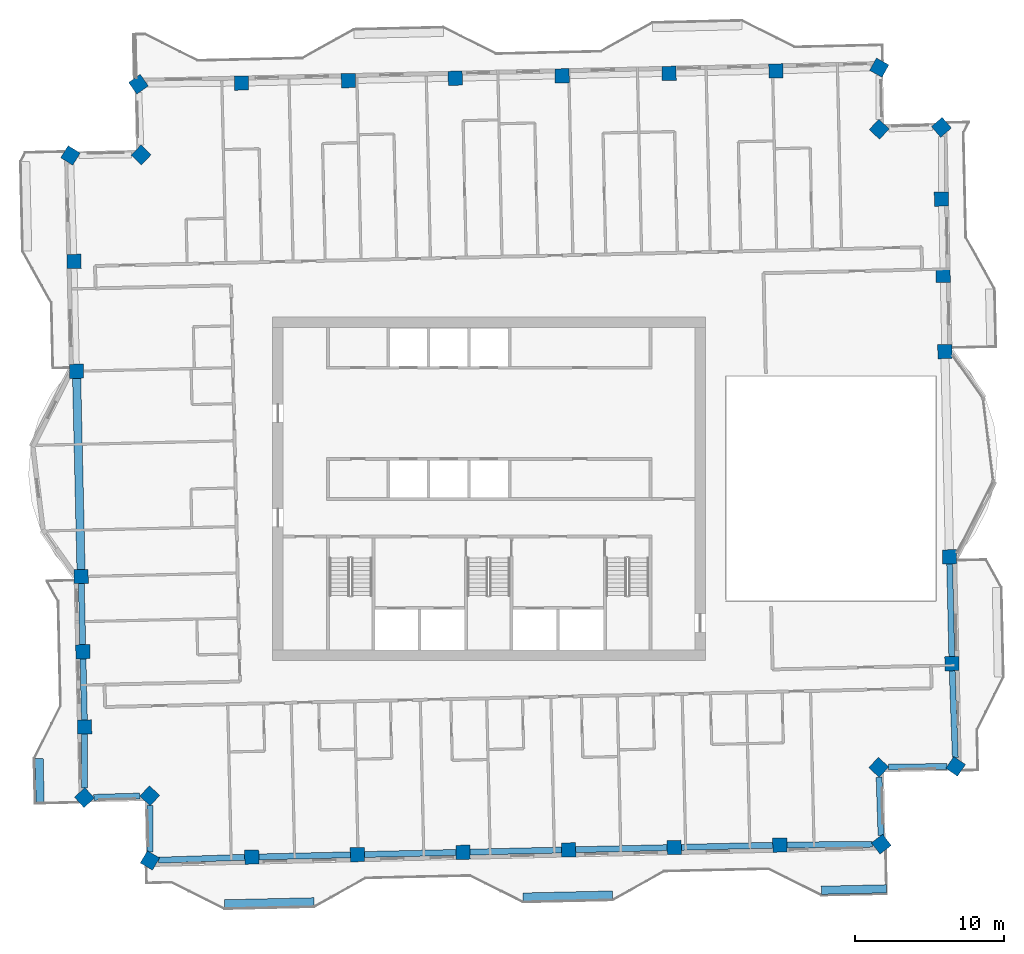
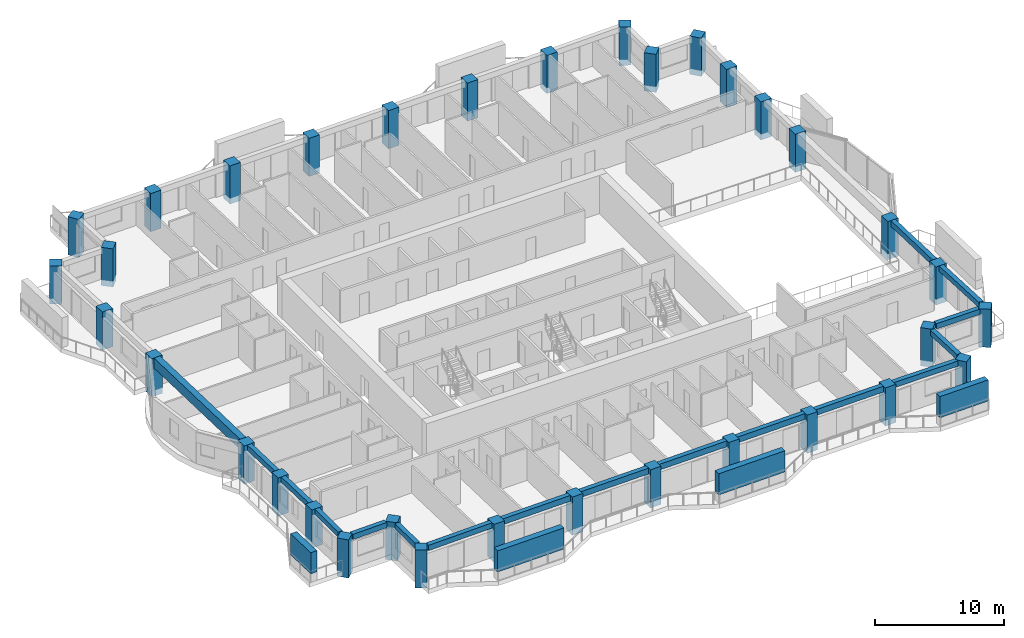
# One storey, part 1 of 18: 34 columns, 17 beams, 4 members.
"""IFC4 building model written with IfcOpenShell, lengths in metres."""

from ifc_helpers import new_model, si_unit, direction, frame, origin, origin_2d, place, context, subcontext, project, spatial, rectangle, extrude, material, material_profile, profile_set, type_object, element, save


model = new_model("IFC4")

# Units and contexts
model_context = context("Model", 3, precision=1e-05, world=origin(), true_north=direction((0.0, 1.0)))
body_context = subcontext(model_context, "Body", "Model", "MODEL_VIEW")
ifc_project = project(units=[si_unit("LENGTHUNIT", "METRE"), si_unit("AREAUNIT", "SQUARE_METRE"), si_unit("VOLUMEUNIT", "CUBIC_METRE"), si_unit("PLANEANGLEUNIT", "RADIAN"), si_unit("MASSUNIT", "GRAM", prefix="KILO")], contexts=[model_context])

# Site, building, storey
site_placement = place(None, origin())
site = spatial("IfcSite", under=ifc_project, at=site_placement, CompositionType="ELEMENT")
building_placement = place(site_placement, origin())
building = spatial("IfcBuilding", under=site, at=building_placement, Name="Mangrove Gate Tower", CompositionType="ELEMENT")
storey_placement = place(building_placement, frame((0.0, 0.0, 287.10009765625)))
storey = spatial("IfcBuildingStorey", under=building, at=storey_placement, Name="L73", CompositionType="ELEMENT", Elevation=287.10009765625)

# Columns
ifc_material_1 = material(Name="Concrete C50/60", Category="concrete")
ifc_material_profile_1 = material_profile(ifc_material_1, rectangle(XDim=0.949951171875, YDim=0.949951171875, at=origin_2d()))
ifc_profile_set_1 = profile_set([ifc_material_profile_1], Name="Concrete C50/60")
column_type = type_object("IfcColumnType", Name="Column RC 950x950 C50/60", PredefinedType="COLUMN", material=ifc_profile_set_1)
for number, where, z_axis, x_axis, name in (
    (1, (-27.3291015625, -5.88330078125, -0.550048828125), (0.0, 0.0, 1.0), (0.022668227132, -0.999743042726, 0.0), "Column L73 W05"),
    (2, (-27.215087890625, -10.92431640625, -0.550048828125), (0.0, 0.0, 1.0), (0.022611029903, -0.999744337982, 0.0), "Column L73 W06"),
    (3, (-27.10107421875, -15.964111328125, -0.550048828125), (0.0, 0.0, 1.0), (0.022712390043, -0.999742040398, 0.0), "Column L73 W07"),
    (4, (-27.1103515625, -20.694580078125, -0.550048828125), (0.0, 0.0, 1.0), (0.674559871236, -0.738220143398, 0.0), "Column L73 W08"),
    (5, (-22.73388671875, -20.571533203125, -0.550048828125), (0.0, 0.0, 1.0), (0.722917548782, -0.690934307777, 0.0), "Column L73 W09"),
    (6, (-22.721435546875, -24.905029296875, -0.550048828125), (0.0, 0.0, 1.0), (0.860936080736, -0.508713145974, 0.0), "Column L73 S01"),
    (7, (-15.898681640625, -24.67919921875, -0.550048828125), (0.0, 0.0, 1.0), (0.999742783124, 0.022679673549, 0.0), "Column L73 S02"),
    (8, (-8.82373046875, -24.51806640625, -0.550048828125), (0.0, 0.0, 1.0), (0.999742783124, 0.022679673549, 0.0), "Column L73 S03"),
    (9, (-1.748779296875, -24.358154296875, -0.550048828125), (0.0, 0.0, 1.0), (0.999742746705, 0.022681278839, 0.0), "Column L73 S04"),
    (10, (5.3251953125, -24.197021484375, -0.550048828125), (0.0, 0.0, 1.0), (0.999741142154, 0.022751894086, 0.0), "Column L73 S05"),
    (11, (12.400146484375, -24.0361328125, -0.550048828125), (0.0, 0.0, 1.0), (0.999742783124, 0.022679673549, 0.0), "Column L73 S06"),
    (12, (19.475341796875, -23.876220703125, -0.550048828125), (0.0, 0.0, 1.0), (0.999742783124, 0.022679673549, 0.0), "Column L73 S07"),
    (13, (26.271240234375, -23.813720703125, -0.550048828125), (0.0, 0.0, 1.0), (0.792213187663, 0.610244430775, 0.0), "Column L73 S08"),
    (14, (26.099609375, -18.663818359375, -0.550048828125), (0.0, 0.0, 1.0), (0.690876732885, 0.722972572065, 0.0), "Column L73 E01"),
    (15, (31.25048828125, -18.603759765625, -0.550048828125), (0.0, 0.0, 1.0), (0.568957327632, 0.8223670466, 0.0), "Column L73 E02"),
    (16, (31.004150390625, -11.723876953125, -0.550048828125), (0.0, 0.0, 1.0), (-0.02268810132, 0.9997425919, 0.0), "Column L73 E03"),
    (17, (30.841064453125, -4.563720703125, -0.550048828125), (0.0, 0.0, 1.0), (-0.022713803395, 0.999742008288, 0.0), "Column L73 E04"),
    (18, (30.529052734375, 9.183349609375, -0.550048828125), (0.0, 0.0, 1.0), (-0.022641914322, 0.999743638997, 0.0), "Column L73 E05"),
    (19, (30.4140625, 14.290283203125, -0.550048828125), (0.0, 0.0, 1.0), (-0.022610227257, 0.999744356135, 0.0), "Column L73 E06"),
    (20, (30.298095703125, 19.397216796875, -0.550048828125), (0.0, 0.0, 1.0), (-0.022708062743, 0.999742138697, 0.0), "Column L73 E07"),
    (21, (30.297119140625, 24.205078125, -0.550048828125), (0.0, 0.0, 1.0), (-0.652445951575, 0.757835259323, 0.0), "Column L73 E08"),
    (22, (26.1298828125, 24.07666015625, -0.550048828125), (0.0, 0.0, 1.0), (-0.722919671176, 0.69093208713, 0.0), "Column L73 E09"),
    (23, (26.132080078125, 28.203857421875, -0.550048828125), (0.0, 0.0, 1.0), (-0.873907193452, 0.486092807222, 0.0), "Column L73 N01"),
    (24, (19.212890625, 27.981201171875, -0.550048828125), (0.0, 0.0, 1.0), (-0.9997425919, -0.02268810132, 0.0), "Column L73 N02"),
    (25, (12.052734375, 27.819091796875, -0.550048828125), (0.0, 0.0, 1.0), (-0.9997425919, -0.02268810132, 0.0), "Column L73 N03"),
    (26, (4.891845703125, 27.656005859375, -0.550048828125), (0.0, 0.0, 1.0), (-0.9997425919, -0.02268810132, 0.0), "Column L73 N04"),
    (27, (-2.268310546875, 27.494140625, -0.550048828125), (0.0, 0.0, 1.0), (-0.9997425919, -0.02268810132, 0.0), "Column L73 N05"),
    (28, (-9.42919921875, 27.3310546875, -0.550048828125), (0.0, 0.0, 1.0), (-0.9997425919, -0.02268810132, 0.0), "Column L73 N06"),
    (29, (-16.589111328125, 27.169189453125, -0.550048828125), (0.0, 0.0, 1.0), (-0.9997425919, -0.02268810132, 0.0), "Column L73 N07"),
    (30, (-23.48779296875, 27.092529296875, -0.550048828125), (0.0, 0.0, 1.0), (-0.81788929658, -0.575375615176, 0.0), "Column L73 N08"),
    (31, (-23.30859375, 22.354736328125, -0.550048828125), (0.0, 0.0, 1.0), (-0.690864619266, -0.722984147714, 0.0), "Column L73 W01"),
    (32, (-28.04638671875, 22.32373046875, -0.550048828125), (0.0, 0.0, 1.0), (-0.526906799816, -0.849923069641, 0.0), "Column L73 W02"),
    (33, (-27.80810546875, 15.223876953125, -0.550048828125), (0.0, 0.0, 1.0), (0.022682831782, -0.999742711472, 0.0), "Column L73 W03"),
    (34, (-27.64111328125, 7.86376953125, -0.550048828125), (0.0, 0.0, 1.0), (0.022688048974, -0.999742593088, 0.0), "Column L73 W04"),
):
    element("IfcColumn", number, at=place(storey_placement, frame(where, z_axis=z_axis, x_axis=x_axis)), inside=storey, type_object=column_type, Name=name, PredefinedType="COLUMN", context=body_context, shape_type="SweptSolid", body=[
        extrude(rectangle(XDim=0.949951171875, YDim=0.949951171875, at=origin_2d()), origin(), (0.0, 0.0, 1.0), 3.599853515625),
    ])

# Members
ifc_material_2 = material(Name="Planting on aluminium trellis", Category="aluminium")
ifc_material_profile_2 = material_profile(ifc_material_2, rectangle(XDim=0.550048828125, YDim=2.0, at=origin_2d()))
ifc_profile_set_2 = profile_set([ifc_material_profile_2], Name="Planting on aluminium trellis")
member_type = type_object("IfcMemberType", Name="Balcony greenery screen 550x2000", PredefinedType="USERDEFINED", material=ifc_profile_set_2)
member_1_placement = place(storey_placement, frame((-30.075927734375, -21.074951171875, 1.7998046875), z_axis=(-0.022706615587, 0.999742171567, 0.0), x_axis=(-0.999742171567, -0.022706615587, 0.0)))
element("IfcMember", 35, at=member_1_placement, inside=storey, type_object=member_type, Name="GREEN SCREEN L73 W1.1", ObjectType="PLANTING", PredefinedType="USERDEFINED", context=body_context, shape_type="SweptSolid", body=[
    extrude(rectangle(XDim=0.550048828125, YDim=2.0, at=origin_2d()), origin(), (0.0, 0.0, 1.0), 2.999755859375),
])
for number, where, z_axis, x_axis, name in (
    (36, (-17.736083984375, -27.81103515625, 1.7998046875), (0.999743094499, 0.022665943652, 0.0), (-0.022665943652, 0.999743094499, 0.0), "GREEN SCREEN L73 S0.1"),
    (37, (2.259033203125, -27.35791015625, 1.7998046875), (0.999739392852, 0.022828630714, 0.0), (-0.022828630714, 0.999739392852, 0.0), "GREEN SCREEN L73 S1.1"),
):
    element("IfcMember", number, at=place(storey_placement, frame(where, z_axis=z_axis, x_axis=x_axis)), inside=storey, type_object=member_type, Name=name, ObjectType="PLANTING", PredefinedType="USERDEFINED", context=body_context, shape_type="SweptSolid", body=[
        extrude(rectangle(XDim=0.550048828125, YDim=2.0, at=origin_2d()), origin(), (0.0, 0.0, 1.0), 5.99951171875),
    ])
member_2_placement = place(storey_placement, frame((22.2529296875, -26.904052734375, 1.7998046875), z_axis=(0.999742527562, 0.022690936169, 0.0), x_axis=(-0.022690936169, 0.999742527562, 0.0)))
element("IfcMember", 38, at=member_2_placement, inside=storey, type_object=member_type, Name="GREEN SCREEN L73 S1.2", ObjectType="PLANTING", PredefinedType="USERDEFINED", context=body_context, shape_type="SweptSolid", body=[
    extrude(rectangle(XDim=0.550048828125, YDim=2.0, at=origin_2d()), origin(), (0.0, 0.0, 1.0), 4.368408203125),
])

# Beams
ifc_material_3 = material(Name="Concrete C50/60", Category="concrete")
ifc_material_profile_3 = material_profile(ifc_material_3, rectangle(XDim=0.39990234375, YDim=0.5, at=origin_2d()))
ifc_profile_set_3 = profile_set([ifc_material_profile_3], Name="Concrete C50/60")
beam_type_1 = type_object("IfcBeamType", Name="Edge beam RC 400x500 C50/60", PredefinedType="BEAM", material=ifc_profile_set_3)
beam_1_placement = place(storey_placement, frame((-27.318359375, -6.358154296875, 2.7998046875), z_axis=(0.022610282283, -0.99974435489, 0.0), x_axis=(0.99974435489, 0.022610282283, 0.0)))
element("IfcBeam", 39, at=beam_1_placement, inside=storey, type_object=beam_type_1, Name="Edge beam L73 00", PredefinedType="BEAM", context=body_context, shape_type="SweptSolid", body=[
    extrude(rectangle(XDim=0.39990234375, YDim=0.5, at=origin_2d()), origin(), (0.0, 0.0, 1.0), 4.09228515625),
])
beam_2_placement = place(storey_placement, frame((-27.204345703125, -11.399169921875, 2.7998046875), z_axis=(0.022617026961, -0.999744202329, 0.0), x_axis=(0.999744202329, 0.022617026961, 0.0)))
element("IfcBeam", 40, at=beam_2_placement, inside=storey, type_object=beam_type_1, Name="Edge beam L73 01", PredefinedType="BEAM", context=body_context, shape_type="SweptSolid", body=[
    extrude(rectangle(XDim=0.39990234375, YDim=0.5, at=origin_2d()), origin(), (0.0, 0.0, 1.0), 4.091064453125),
])
beam_3_placement = place(storey_placement, frame((-27.10205078125, -16.439453125, 2.7998046875), z_axis=(-0.001960913128, -0.999998077408, 0.0), x_axis=(0.999998077408, -0.001960913128, 0.0)))
element("IfcBeam", 41, at=beam_3_placement, inside=storey, type_object=beam_type_1, Name="Edge beam L73 02", PredefinedType="BEAM", context=body_context, shape_type="SweptSolid", body=[
    extrude(rectangle(XDim=0.39990234375, YDim=0.5, at=origin_2d()), origin(), (0.0, 0.0, 1.0), 3.610595703125),
])
beam_4_placement = place(storey_placement, frame((-26.48291015625, -20.677001953125, 2.7998046875), z_axis=(0.999604650157, 0.028116603344, 0.0), x_axis=(-0.028116603344, 0.999604650157, 0.0)))
element("IfcBeam", 42, at=beam_4_placement, inside=storey, type_object=beam_type_1, Name="Edge beam L73 03", PredefinedType="BEAM", context=body_context, shape_type="SweptSolid", body=[
    extrude(rectangle(XDim=0.39990234375, YDim=0.5, at=origin_2d()), origin(), (0.0, 0.0, 1.0), 3.08251953125),
])
beam_5_placement = place(storey_placement, frame((-22.73193359375, -21.23046875, 2.7998046875), z_axis=(0.002893551662, -0.999995813671, 0.0), x_axis=(0.999995813671, 0.002893551662, 0.0)))
element("IfcBeam", 43, at=beam_5_placement, inside=storey, type_object=beam_type_1, Name="Edge beam L73 04", PredefinedType="BEAM", context=body_context, shape_type="SweptSolid", body=[
    extrude(rectangle(XDim=0.39990234375, YDim=0.5, at=origin_2d()), origin(), (0.0, 0.0, 1.0), 3.121826171875),
])
beam_6_placement = place(storey_placement, frame((-22.15869140625, -24.886474609375, 2.7998046875), z_axis=(0.999451720574, 0.033109790709, 0.0), x_axis=(-0.033109790709, 0.999451720574, 0.0)))
element("IfcBeam", 44, at=beam_6_placement, inside=storey, type_object=beam_type_1, Name="Edge beam L73 05", PredefinedType="BEAM", context=body_context, shape_type="SweptSolid", body=[
    extrude(rectangle(XDim=0.39990234375, YDim=0.5, at=origin_2d()), origin(), (0.0, 0.0, 1.0), 5.788330078125),
])
beam_7_placement = place(storey_placement, frame((19.9501953125, -23.871826171875, 2.7998046875), z_axis=(0.999957587868, 0.009209911265, 0.0), x_axis=(-0.009209911265, 0.999957587868, 0.0)))
element("IfcBeam", 45, at=beam_7_placement, inside=storey, type_object=beam_type_1, Name="Edge beam L73 11", PredefinedType="BEAM", context=body_context, shape_type="SweptSolid", body=[
    extrude(rectangle(XDim=0.39990234375, YDim=0.5, at=origin_2d()), origin(), (0.0, 0.0, 1.0), 5.725830078125),
])
beam_8_placement = place(storey_placement, frame((26.251708984375, -23.22900390625, 2.7998046875), z_axis=(-0.033277341028, 0.999446155915, 0.0), x_axis=(-0.999446155915, -0.033277341028, 0.0)))
element("IfcBeam", 46, at=beam_8_placement, inside=storey, type_object=beam_type_1, Name="Edge beam L73 12", PredefinedType="BEAM", context=body_context, shape_type="SweptSolid", body=[
    extrude(rectangle(XDim=0.39990234375, YDim=0.5, at=origin_2d()), origin(), (0.0, 0.0, 1.0), 3.903076171875),
])
beam_9_placement = place(storey_placement, frame((26.763916015625, -18.656005859375, 2.7998046875), z_axis=(0.99993236047, 0.011630755991, 0.0), x_axis=(-0.011630755991, 0.99993236047, 0.0)))
element("IfcBeam", 47, at=beam_9_placement, inside=storey, type_object=beam_type_1, Name="Edge beam L73 13", PredefinedType="BEAM", context=body_context, shape_type="SweptSolid", body=[
    extrude(rectangle(XDim=0.39990234375, YDim=0.5, at=origin_2d()), origin(), (0.0, 0.0, 1.0), 3.904296875),
])
beam_10_placement = place(storey_placement, frame((31.229248046875, -18.011474609375, 2.7998046875), z_axis=(-0.035802315604, 0.999358891589, 0.0), x_axis=(-0.999358891589, -0.035802315604, 0.0)))
element("IfcBeam", 48, at=beam_10_placement, inside=storey, type_object=beam_type_1, Name="Edge beam L73 14", PredefinedType="BEAM", context=body_context, shape_type="SweptSolid", body=[
    extrude(rectangle(XDim=0.39990234375, YDim=0.5, at=origin_2d()), origin(), (0.0, 0.0, 1.0), 5.816650390625),
])
ifc_material_4 = material(Name="Concrete C50/60", Category="concrete")
ifc_material_profile_4 = material_profile(ifc_material_4, rectangle(XDim=0.39990234375, YDim=0.550048828125, at=origin_2d()))
ifc_profile_set_4 = profile_set([ifc_material_profile_4], Name="Concrete C50/60")
beam_type_2 = type_object("IfcBeamType", Name="Edge beam RC 400x550 C50/60", PredefinedType="BEAM", material=ifc_profile_set_4)
for number, where, z_axis, x_axis, name in (
    (49, (-15.423828125, -24.668212890625, 2.77490234375), (0.999741115026, 0.022753086081, 0.0), (-0.022753086081, 0.999741115026, 0.0), "Edge beam L73 06"),
    (50, (-8.348876953125, -24.50732421875, 2.77490234375), (0.999744728048, 0.022593776587, 0.0), (-0.022593776587, 0.999744728048, 0.0), "Edge beam L73 07"),
):
    element("IfcBeam", number, at=place(storey_placement, frame(where, z_axis=z_axis, x_axis=x_axis)), inside=storey, type_object=beam_type_2, Name=name, PredefinedType="BEAM", context=body_context, shape_type="SweptSolid", body=[
        extrude(rectangle(XDim=0.39990234375, YDim=0.550048828125, at=origin_2d()), origin(), (0.0, 0.0, 1.0), 6.126708984375),
    ])
beam_11_placement = place(storey_placement, frame((-1.27392578125, -24.347412109375, 2.77490234375), z_axis=(0.999741032489, 0.02275671236, 0.0), x_axis=(-0.02275671236, 0.999741032489, 0.0)))
element("IfcBeam", 51, at=beam_11_placement, inside=storey, type_object=beam_type_2, Name="Edge beam L73 08", PredefinedType="BEAM", context=body_context, shape_type="SweptSolid", body=[
    extrude(rectangle(XDim=0.39990234375, YDim=0.550048828125, at=origin_2d()), origin(), (0.0, 0.0, 1.0), 6.125732421875),
])
for number, where, z_axis, x_axis, name in (
    (52, (5.800048828125, -24.186279296875, 2.77490234375), (0.999741115026, 0.022753086081, 0.0), (-0.022753086081, 0.999741115026, 0.0), "Edge beam L73 09"),
    (53, (12.875, -24.025390625, 2.77490234375), (0.999744728048, 0.022593776587, 0.0), (-0.022593776587, 0.999744728048, 0.0), "Edge beam L73 10"),
):
    element("IfcBeam", number, at=place(storey_placement, frame(where, z_axis=z_axis, x_axis=x_axis)), inside=storey, type_object=beam_type_2, Name=name, PredefinedType="BEAM", context=body_context, shape_type="SweptSolid", body=[
        extrude(rectangle(XDim=0.39990234375, YDim=0.550048828125, at=origin_2d()), origin(), (0.0, 0.0, 1.0), 6.126708984375),
    ])
beam_12_placement = place(storey_placement, frame((30.993408203125, -11.248779296875, 2.77490234375), z_axis=(-0.022756223778, 0.99974104361, 0.0), x_axis=(-0.99974104361, -0.022756223778, 0.0)))
element("IfcBeam", 54, at=beam_12_placement, inside=storey, type_object=beam_type_2, Name="Edge beam L73 15", PredefinedType="BEAM", context=body_context, shape_type="SweptSolid", body=[
    extrude(rectangle(XDim=0.39990234375, YDim=0.550048828125, at=origin_2d()), origin(), (0.0, 0.0, 1.0), 6.2119140625),
])
ifc_material_5 = material(Name="Concrete C50/60", Category="concrete")
ifc_material_profile_5 = material_profile(ifc_material_5, rectangle(XDim=0.550048828125, YDim=0.949951171875, at=origin_2d()))
ifc_profile_set_5 = profile_set([ifc_material_profile_5], Name="Concrete C50/60")
beam_type_3 = type_object("IfcBeamType", Name="Edge beam RC 550x950 C50/60", PredefinedType="BEAM", material=ifc_profile_set_5)
beam_13_placement = place(storey_placement, frame((-27.63037109375, 7.388916015625, 2.574951171875), z_axis=(0.0226962773, -0.999742406321, 0.0), x_axis=(0.999742406321, 0.0226962773, 0.0)))
element("IfcBeam", 55, at=beam_13_placement, inside=storey, type_object=beam_type_3, Name="Edge beam L73 33", PredefinedType="BEAM", context=body_context, shape_type="SweptSolid", body=[
    extrude(rectangle(XDim=0.550048828125, YDim=0.949951171875, at=origin_2d()), origin(), (0.0, 0.0, 1.0), 12.80078125),
])

save(model, "model.ifc")
